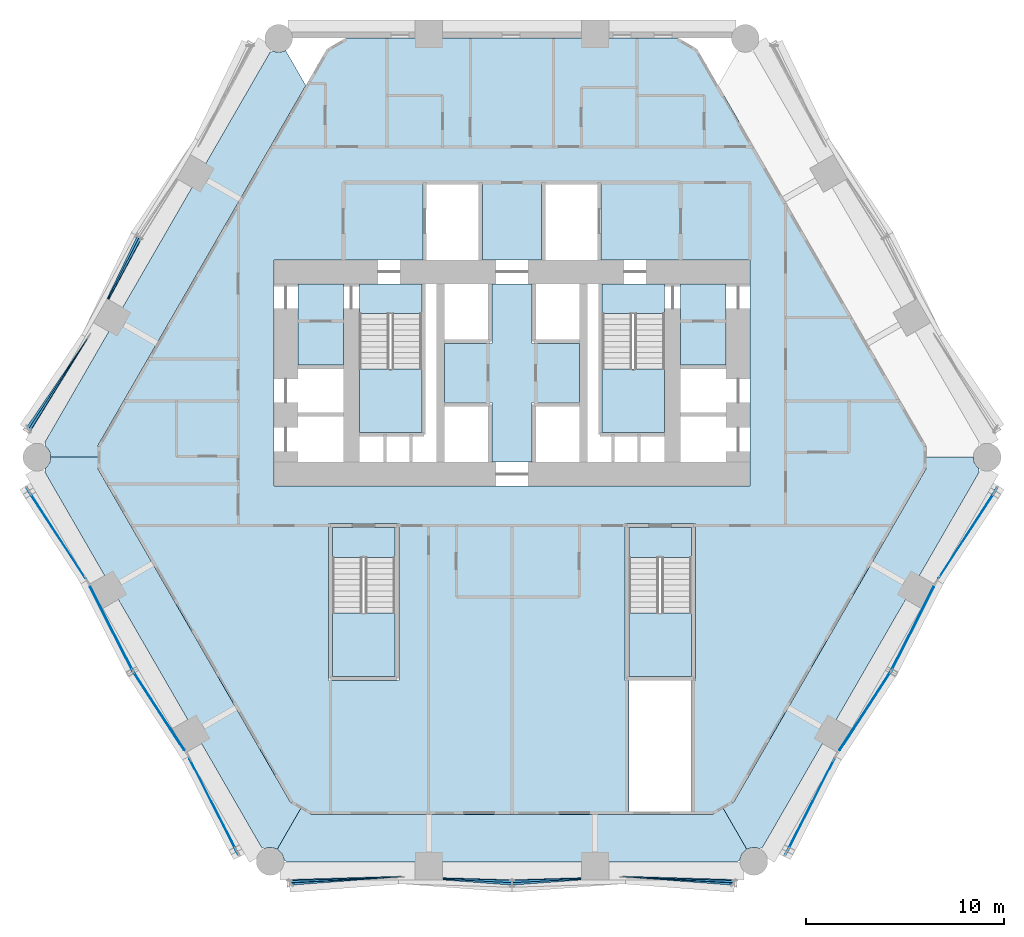
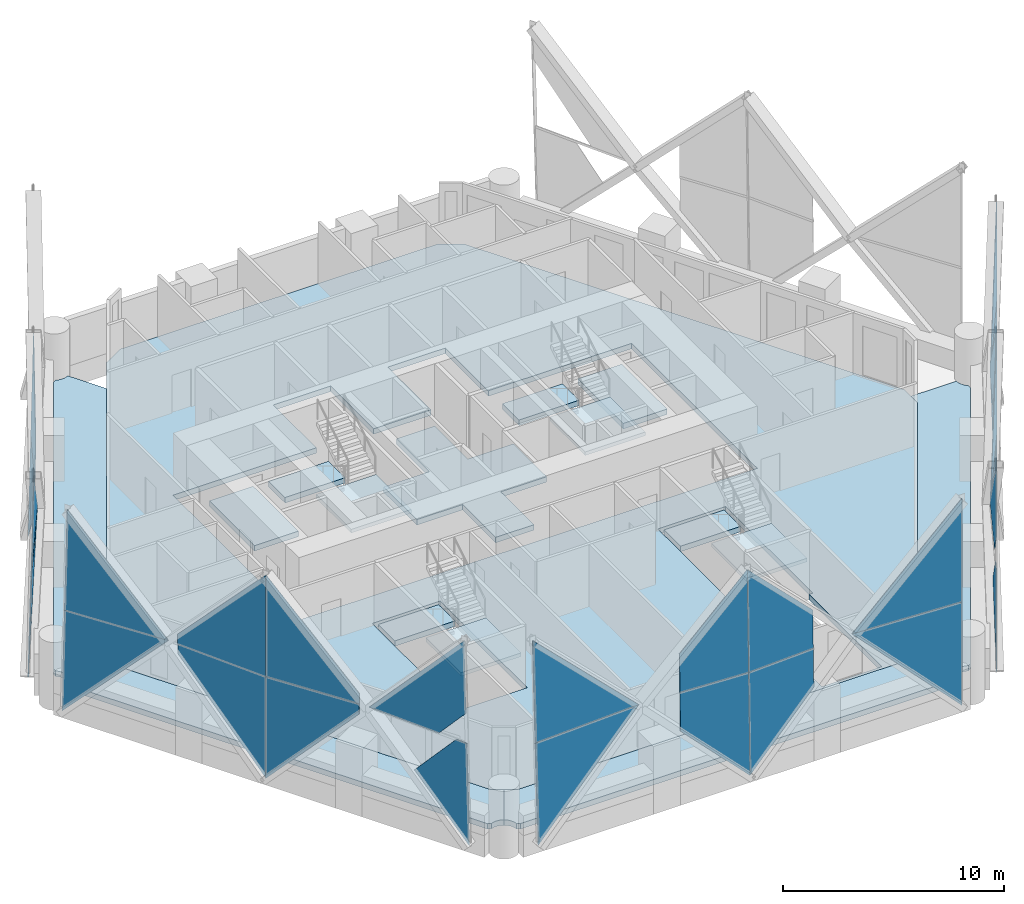
# One storey, part 9 of 22: 28 plates, 16 slabs, 20 elements without a shape of their own.
"""IFC4 building model written with IfcOpenShell, lengths in metres."""

from ifc_helpers import new_model, si_unit, direction, frame, origin, place, context, subcontext, project, spatial, polyline, outline, extrude, material, layer, layer_set, type_object, element, aggregate, save


model = new_model("IFC4")

# Units and contexts
model_context = context("Model", 3, precision=1e-05, world=origin(), true_north=direction((0.0, 1.0)))
body_context = subcontext(model_context, "Body", "Model", "MODEL_VIEW")
ifc_project = project(units=[si_unit("LENGTHUNIT", "METRE"), si_unit("AREAUNIT", "SQUARE_METRE"), si_unit("VOLUMEUNIT", "CUBIC_METRE"), si_unit("PLANEANGLEUNIT", "RADIAN"), si_unit("MASSUNIT", "GRAM", prefix="KILO")], contexts=[model_context])

# Site, building, storey
site_placement = place(None, origin())
site = spatial("IfcSite", under=ifc_project, at=site_placement, CompositionType="ELEMENT")
building_placement = place(site_placement, origin())
building = spatial("IfcBuilding", under=site, at=building_placement, Name="Ostrander Bayou Hotel Tower", CompositionType="ELEMENT")
storey_placement = place(building_placement, frame((0.0, 0.0, 46.75)))
storey = spatial("IfcBuildingStorey", under=building, at=storey_placement, Name="L11", CompositionType="ELEMENT", Elevation=46.75)

# Curtain wall, plate
ifc_material_1 = material(Name="Aluminium and clear glass", Category="aluminium")
curtain_wall_type = type_object("IfcCurtainWallType", Name="CW-LAT lattice glazing", PredefinedType="NOTDEFINED", material=ifc_material_1)
curtain_wall_1_placement = place(storey_placement, origin())
curtain_wall_1 = element("IfcCurtainWall", 1, at=curtain_wall_1_placement, inside=storey, type_object=curtain_wall_type, Name="CW-LAT L11 NW 3", PredefinedType="NOTDEFINED")
ifc_material_2 = material(Name="Clear laminated glass", Category="glass")
ifc_layer_1 = layer(ifc_material_2, 0.028076171875)
ifc_layer_set_1 = layer_set([ifc_layer_1], Name="CW-LA glazing panel 28 mm")
plate_type = type_object("IfcPlateType", Name="CW-LA glazing panel 28 mm", PredefinedType="CURTAIN_PANEL", material=ifc_layer_set_1)
plate_1_placement = place(storey_placement, frame((-20.421875, 7.760498046875, 2.917236328125), z_axis=(-0.890625010723, 0.454214829628, 0.021816938846), x_axis=(0.306591935451, 0.635214679132, -0.708874951266)))
plate_1 = element("IfcPlate", 2, at=plate_1_placement, type_object=plate_type, Name="CW-LAT panel 5", PredefinedType="CURTAIN_PANEL", context=body_context, shape_type="SweptSolid", body=[
    extrude(outline(polyline([(0.0, 0.0), (4.961854804753688, -4.440892098500626e-16), (0.967987887653214, -3.9629241458363484), (-1.4946785295034635, -1.486709471000279), (0.0, 0.0)])), origin(), (0.0, 0.0, -1.0), 0.028076171875),
])
aggregate(curtain_wall_1, [plate_1])

curtain_wall_2_placement = place(storey_placement, origin())
curtain_wall_2 = element("IfcCurtainWall", 3, at=curtain_wall_2_placement, inside=storey, type_object=curtain_wall_type, Name="CW-LAT L11 NW 4", PredefinedType="NOTDEFINED")
plate_2_placement = place(storey_placement, frame((-20.341064453125, 7.716796875, 7.13525390625), z_axis=(-0.890613025287, 0.454240673343, 0.021768092953), x_axis=(0.33379101933, 0.620442958908, 0.709671818629)))
plate_2 = element("IfcPlate", 4, at=plate_2_placement, type_object=plate_type, Name="CW-LAT panel 6", PredefinedType="CURTAIN_PANEL", context=body_context, shape_type="SweptSolid", body=[
    extrude(outline(polyline([(0.0, 0.0), (4.952497454512188, 0.0), (0.9631647855823522, 3.9674782541401847), (-1.4977033901600882, 1.4874753328256718), (0.0, 0.0)])), origin(), (0.0, 0.0, -1.0), 0.028076171875),
])
aggregate(curtain_wall_2, [plate_2])

curtain_wall_3_placement = place(storey_placement, origin())
curtain_wall_3 = element("IfcCurtainWall", 5, at=curtain_wall_3_placement, inside=storey, type_object=curtain_wall_type, Name="CW-LAT L11 NW 1", PredefinedType="NOTDEFINED")
plate_3_placement = place(storey_placement, frame((-21.33349609375, 5.871826171875, 5.02490234375), z_axis=(-0.838643819387, 0.544218875088, 0.022413393356), x_axis=(-0.394812024283, -0.579028738876, -0.713336656171)))
plate_3 = element("IfcPlate", 6, at=plate_3_placement, type_object=plate_type, Name="CW-LAT panel 7", PredefinedType="CURTAIN_PANEL", context=body_context, shape_type="SweptSolid", body=[
    extrude(outline(polyline([(0.0, 0.0), (7.885477286693286, 4.440892098500626e-16), (3.9159705439442805, 3.9879411453527975), (0.0, 0.0)])), origin(), (0.0, 0.0, -1.0), 0.028076171875),
])
aggregate(curtain_wall_3, [plate_3])

curtain_wall_4_placement = place(storey_placement, origin())
curtain_wall_4 = element("IfcCurtainWall", 7, at=curtain_wall_4_placement, inside=storey, type_object=curtain_wall_type, Name="CW-LAT L11 NW 2", PredefinedType="NOTDEFINED")
plate_4_placement = place(storey_placement, frame((-21.33349609375, 5.871826171875, 5.02490234375), z_axis=(-0.83864268969, 0.544218141997, 0.022473383165), x_axis=(-0.372541560407, -0.603210626156, 0.705230264709)))
plate_4 = element("IfcPlate", 8, at=plate_4_placement, type_object=plate_type, Name="CW-LAT panel 8", PredefinedType="CURTAIN_PANEL", context=body_context, shape_type="SweptSolid", body=[
    extrude(outline(polyline([(0.0, 0.0), (7.976118271551039, 0.0), (3.9615893043185784, -3.9426273046974245), (0.0, 0.0)])), origin(), (0.0, 0.0, -1.0), 0.028076171875),
])
aggregate(curtain_wall_4, [plate_4])

curtain_wall_5_placement = place(storey_placement, origin())
curtain_wall_5 = element("IfcCurtainWall", 9, at=curtain_wall_5_placement, inside=storey, type_object=curtain_wall_type, Name="CW-LAT L11 SW 3", PredefinedType="NOTDEFINED")
plate_5_placement = place(storey_placement, frame((-21.50244140625, -6.337646484375, 5.02490234375), z_axis=(0.838281967344, 0.545235342376, 0.001328401534), x_axis=(-0.377212062114, 0.581707291144, -0.720643939561)))
plate_5 = element("IfcPlate", 10, at=plate_5_placement, type_object=plate_type, Name="CW-LAT panel 1", PredefinedType="CURTAIN_PANEL", context=body_context, shape_type="SweptSolid", body=[
    extrude(outline(polyline([(0.0, 0.0), (7.80551905206793, -8.881784197001252e-16), (3.653896755766493, 3.7979850800628974), (0.0, 0.0)])), origin(), (0.0, 0.0, -1.0), 0.028076171875),
])

curtain_wall_6_placement = place(storey_placement, origin())
curtain_wall_6 = element("IfcCurtainWall", 11, at=curtain_wall_6_placement, inside=storey, type_object=curtain_wall_type, Name="CW-LAT L11 SW 4", PredefinedType="NOTDEFINED")
plate_6_placement = place(storey_placement, frame((-21.50244140625, -6.337646484375, 5.02490234375), z_axis=(0.838281981439, 0.545235351544, 0.001315682519), x_axis=(-0.368165861666, 0.564260127563, 0.73896170858)))
plate_6 = element("IfcPlate", 12, at=plate_6_placement, type_object=plate_type, Name="CW-LAT panel 2", PredefinedType="CURTAIN_PANEL", context=body_context, shape_type="SweptSolid", body=[
    extrude(outline(polyline([(0.0, 0.0), (7.612031766588155, -4.440892098500626e-16), (3.550821157270601, -3.894524525440911), (0.0, 0.0)])), origin(), (0.0, 0.0, -1.0), 0.028076171875),
])

curtain_wall_7_placement = place(storey_placement, origin())
curtain_wall_7 = element("IfcCurtainWall", 13, at=curtain_wall_7_placement, inside=storey, type_object=curtain_wall_type, Name="CW-LAT L11 SW 1", PredefinedType="NOTDEFINED")
plate_7_placement = place(storey_placement, frame((-21.266845703125, -6.80078125, 4.470458984375), z_axis=(-0.891332685787, -0.453349802302, 0.0), x_axis=(0.309949625851, -0.609393080279, -0.729774830439)))
plate_7 = element("IfcPlate", 14, at=plate_7_placement, type_object=plate_type, Name="CW-LAT panel 3", PredefinedType="CURTAIN_PANEL", context=body_context, shape_type="SweptSolid", body=[
    extrude(outline(polyline([(0.0, 0.0), (6.948111155836639, 0.0), (2.84312773461484, 3.8457425955846523), (-0.404618808576159, 0.3790660344866643), (0.0, 0.0)])), origin(), (0.0, 0.0, -1.0), 0.028076171875),
])

curtain_wall_8_placement = place(storey_placement, origin())
curtain_wall_8 = element("IfcCurtainWall", 15, at=curtain_wall_8_placement, inside=storey, type_object=curtain_wall_type, Name="CW-LAT L11 SW 2", PredefinedType="NOTDEFINED")
plate_8_placement = place(storey_placement, frame((-21.266845703125, -6.80078125, 5.57958984375), z_axis=(0.891332685787, 0.453349802302, 0.0), x_axis=(0.309957573882, -0.609408706931, 0.72975840544)))
plate_8 = element("IfcPlate", 16, at=plate_8_placement, type_object=plate_type, Name="CW-LAT panel 4", PredefinedType="CURTAIN_PANEL", context=body_context, shape_type="SweptSolid", body=[
    extrude(outline(polyline([(0.0, 0.0), (6.947932990158405, 0.0), (2.843041959559998, 3.8458412118693555), (-0.40478786551734286, 0.37924267505933923), (0.0, 0.0)])), origin(), (0.0, 0.0, -1.0), 0.028076171875),
])

# Plate
plate_9_placement = place(storey_placement, frame((-16.522705078125, -15.01806640625, 4.47119140625), z_axis=(0.83829684478, 0.545214086421, 0.0), x_axis=(-0.372775351719, 0.573162742747, -0.72974174026)))
plate_9 = element("IfcPlate", 17, at=plate_9_placement, type_object=plate_type, Name="CW-LAT panel 5", PredefinedType="CURTAIN_PANEL", context=body_context, shape_type="SweptSolid", body=[
    extrude(outline(polyline([(0.0, 0.0), (6.949429891036562, 0.0), (2.8446326020739665, 3.8459412653504383), (-0.40406598313225545, 0.3785848433079338), (0.0, 0.0)])), origin(), (0.0, 0.0, -1.0), 0.028076171875),
])

aggregate(curtain_wall_5, [plate_5, plate_9])

plate_10_placement = place(storey_placement, frame((-16.522705078125, -15.01806640625, 5.578857421875), z_axis=(-0.83829684478, -0.545214086421, 0.0), x_axis=(-0.372784908541, 0.57317743689, 0.729725316681)))
plate_10 = element("IfcPlate", 18, at=plate_10_placement, type_object=plate_type, Name="CW-LAT panel 6", PredefinedType="CURTAIN_PANEL", context=body_context, shape_type="SweptSolid", body=[
    extrude(outline(polyline([(0.0, 0.0), (6.949251733436812, -4.440892098500626e-16), (2.8445468271087493, 3.8460398635435817), (-0.4042350448115614, 0.3787614778810932), (0.0, 0.0)])), origin(), (0.0, 0.0, -1.0), 0.028076171875),
])

aggregate(curtain_wall_6, [plate_6, plate_10])

plate_11_placement = place(storey_placement, frame((-13.8505859375, -20.150390625, 5.02490234375), z_axis=(0.891332011599, 0.453349074524, 0.001364451234), x_axis=(0.012612304546, -0.021788358172, -0.999683048382)))
plate_11 = element("IfcPlate", 19, at=plate_11_placement, type_object=plate_type, Name="CW-LAT panel 7", PredefinedType="CURTAIN_PANEL", context=body_context, shape_type="SweptSolid", body=[
    extrude(outline(polyline([(0.0, 0.0), (5.626783537877228, 2.7755575615628914e-17), (2.4701904401247075, 2.8873981375799938), (-0.014300052129770926, 0.5686765263280605), (0.0, 0.0)])), origin(), (0.0, 0.0, -1.0), 0.028076171875),
])

aggregate(curtain_wall_7, [plate_7, plate_11])

plate_12_placement = place(storey_placement, frame((-13.92138671875, -20.027587890625, 10.64990234375), z_axis=(0.891330919348, 0.453351304475, 0.001336766939), x_axis=(0.012586322666, -0.021798184003, -0.999683161635)))
plate_12 = element("IfcPlate", 20, at=plate_12_placement, type_object=plate_type, Name="CW-LAT panel 8", PredefinedType="CURTAIN_PANEL", context=body_context, shape_type="SweptSolid", body=[
    extrude(outline(polyline([(0.0, 0.0), (3.976113307139134, 1.3877787807814457e-17), (5.58894847974982, 1.5047415863403115), (5.494317859416411, 5.2683802893388805), (0.0, 0.0)])), origin(), (0.0, 0.0, -1.0), 0.028076171875),
])

aggregate(curtain_wall_8, [plate_8, plate_12])

# Curtain wall, plate
curtain_wall_9_placement = place(storey_placement, origin())
curtain_wall_9 = element("IfcCurtainWall", 21, at=curtain_wall_9_placement, inside=storey, type_object=curtain_wall_type, Name="CW-LAT L11 S 3", PredefinedType="NOTDEFINED")
plate_13_placement = place(storey_placement, frame((-5.58154296875, -21.4111328125, 5.02490234375), z_axis=(0.052011569809, -0.99839505372, 0.022407885079), x_axis=(-0.698852657643, -0.052417045428, -0.713342425665)))
plate_13 = element("IfcPlate", 22, at=plate_13_placement, type_object=plate_type, Name="CW-LAT panel 1", PredefinedType="CURTAIN_PANEL", context=body_context, shape_type="SweptSolid", body=[
    extrude(outline(polyline([(0.0, 0.0), (7.885413509168376, 4.440892098500626e-16), (3.9159175195676506, -3.9879518487653973), (0.0, 0.0)])), origin(), (0.0, 0.0, -1.0), 0.028076171875),
])

curtain_wall_10_placement = place(storey_placement, origin())
curtain_wall_10 = element("IfcCurtainWall", 23, at=curtain_wall_10_placement, inside=storey, type_object=curtain_wall_type, Name="CW-LAT L11 S 4", PredefinedType="NOTDEFINED")
plate_14_placement = place(storey_placement, frame((-5.58154296875, -21.4111328125, 5.02490234375), z_axis=(0.052011519257, -0.998394083339, 0.022451196376), x_axis=(-0.708662000278, -0.021059064279, 0.705233780511)))
plate_14 = element("IfcPlate", 24, at=plate_14_placement, type_object=plate_type, Name="CW-LAT panel 2", PredefinedType="CURTAIN_PANEL", context=body_context, shape_type="SweptSolid", body=[
    extrude(outline(polyline([(0.0, 0.0), (7.9760785082107, 0.0), (3.9615507802499086, 3.942624174788862), (0.0, 0.0)])), origin(), (0.0, 0.0, -1.0), 0.028076171875),
])

curtain_wall_11_placement = place(storey_placement, origin())
curtain_wall_11 = element("IfcCurtainWall", 25, at=curtain_wall_11_placement, inside=storey, type_object=curtain_wall_type, Name="CW-LAT L11 S 1", PredefinedType="NOTDEFINED")
plate_15_placement = place(storey_placement, frame((-3.489990234375, -21.56591796875, 2.9169921875), z_axis=(-0.052030148651, -0.998408968086, 0.021734674512), x_axis=(0.703410934352, -0.052088557242, -0.708872230827)))
plate_15 = element("IfcPlate", 26, at=plate_15_placement, type_object=plate_type, Name="CW-LAT panel 3", PredefinedType="CURTAIN_PANEL", context=body_context, shape_type="SweptSolid", body=[
    extrude(outline(polyline([(0.0, 0.0), (4.9615318471639345, -4.440892098500626e-16), (0.9677416484334855, 3.9629894582472622), (-1.494899729449446, 1.4868255747577932), (0.0, 0.0)])), origin(), (0.0, 0.0, -1.0), 0.028076171875),
])

curtain_wall_12_placement = place(storey_placement, origin())
curtain_wall_12 = element("IfcCurtainWall", 27, at=curtain_wall_12_placement, inside=storey, type_object=curtain_wall_type, Name="CW-LAT L11 S 2", PredefinedType="NOTDEFINED")
plate_16_placement = place(storey_placement, frame((-3.487548828125, -21.47412109375, 7.13525390625), z_axis=(-0.052027417039, -0.998408030024, 0.021784247988), x_axis=(0.704205879099, -0.02121196074, 0.709678893982)))
plate_16 = element("IfcPlate", 28, at=plate_16_placement, type_object=plate_type, Name="CW-LAT panel 4", PredefinedType="CURTAIN_PANEL", context=body_context, shape_type="SweptSolid", body=[
    extrude(outline(polyline([(0.0, 0.0), (4.952451045853735, 8.881784197001252e-16), (0.9631121539849465, -3.9674778779943574), (-1.497729918514757, -1.4874466766394188), (0.0, 0.0)])), origin(), (0.0, 0.0, -1.0), 0.028076171875),
])

# Plate
plate_17_placement = place(storey_placement, frame((3.490234375, -21.56591796875, 2.91748046875), z_axis=(0.052028260502, -0.998408893577, 0.021742615664), x_axis=(-0.703386256058, -0.052092110667, -0.708896457034)))
plate_17 = element("IfcPlate", 29, at=plate_17_placement, type_object=plate_type, Name="CW-LAT panel 5", PredefinedType="CURTAIN_PANEL", context=body_context, shape_type="SweptSolid", body=[
    extrude(outline(polyline([(0.0, 0.0), (4.962049710630717, 0.0), (0.9681228039845033, -3.96285168401522), (-1.4939179771067317, -1.4871220630709012), (0.0, 0.0)])), origin(), (0.0, 0.0, -1.0), 0.028076171875),
])

aggregate(curtain_wall_9, [plate_13, plate_17])

plate_18_placement = place(storey_placement, frame((3.486328125, -21.47412109375, 7.13671875), z_axis=(0.052034976574, -0.998407582929, 0.021786683167), x_axis=(-0.704229600574, -0.021217324722, 0.709655194307)))
plate_18 = element("IfcPlate", 30, at=plate_18_placement, type_object=plate_type, Name="CW-LAT panel 6", PredefinedType="CURTAIN_PANEL", context=body_context, shape_type="SweptSolid", body=[
    extrude(outline(polyline([(0.0, 0.0), (4.950551853492706, 0.0), (0.9613469310085432, 3.9676125812305596), (-1.4994069506133878, 1.487837341220223), (0.0, 0.0)])), origin(), (0.0, 0.0, -1.0), 0.028076171875),
])

aggregate(curtain_wall_10, [plate_14, plate_18])

plate_19_placement = place(storey_placement, frame((5.58154296875, -21.4111328125, 5.02490234375), z_axis=(-0.052011569809, -0.99839505372, 0.022407885079), x_axis=(0.698852657643, -0.052417045428, -0.713342425665)))
plate_19 = element("IfcPlate", 31, at=plate_19_placement, type_object=plate_type, Name="CW-LAT panel 7", PredefinedType="CURTAIN_PANEL", context=body_context, shape_type="SweptSolid", body=[
    extrude(outline(polyline([(0.0, 0.0), (7.885413509168376, -4.440892098500626e-16), (3.9159175195676506, 3.9879518487653973), (0.0, 0.0)])), origin(), (0.0, 0.0, -1.0), 0.028076171875),
])

aggregate(curtain_wall_11, [plate_15, plate_19])

plate_20_placement = place(storey_placement, frame((5.58154296875, -21.4111328125, 5.02490234375), z_axis=(-0.052011519257, -0.998394083339, 0.022451196376), x_axis=(0.708662000278, -0.021059064279, 0.705233780511)))
plate_20 = element("IfcPlate", 32, at=plate_20_placement, type_object=plate_type, Name="CW-LAT panel 8", PredefinedType="CURTAIN_PANEL", context=body_context, shape_type="SweptSolid", body=[
    extrude(outline(polyline([(0.0, 0.0), (7.9760785082107, 0.0), (3.9615507802499086, -3.942624174788862), (0.0, 0.0)])), origin(), (0.0, 0.0, -1.0), 0.028076171875),
])

aggregate(curtain_wall_12, [plate_16, plate_20])

# Curtain wall, plate
curtain_wall_13_placement = place(storey_placement, origin())
curtain_wall_13 = element("IfcCurtainWall", 33, at=curtain_wall_13_placement, inside=storey, type_object=curtain_wall_type, Name="CW-LAT L11 SE 3", PredefinedType="NOTDEFINED")
plate_21_placement = place(storey_placement, frame((13.779541015625, -20.27294921875, -0.60009765625), z_axis=(-0.891332011599, 0.453349074524, 0.001364451234), x_axis=(0.012612304546, 0.021788358172, 0.999683048382)))
plate_21 = element("IfcPlate", 34, at=plate_21_placement, type_object=plate_type, Name="CW-LAT panel 1", PredefinedType="CURTAIN_PANEL", context=body_context, shape_type="SweptSolid", body=[
    extrude(outline(polyline([(0.0, 0.0), (5.626783537877228, -2.7755575615628914e-17), (5.641083590006998, 0.5686765263280605), (3.1565930977525194, 2.8873981375799938), (0.0, 0.0)])), origin(), (0.0, 0.0, -1.0), 0.028076171875),
])

curtain_wall_14_placement = place(storey_placement, origin())
curtain_wall_14 = element("IfcCurtainWall", 35, at=curtain_wall_14_placement, inside=storey, type_object=curtain_wall_type, Name="CW-LAT L11 SE 4", PredefinedType="NOTDEFINED")
plate_22_placement = place(storey_placement, frame((13.92138671875, -20.027587890625, 10.64990234375), z_axis=(-0.891330919348, 0.453351304475, 0.001336766939), x_axis=(0.304564797863, 0.600981700821, -0.738959592388)))
plate_22 = element("IfcPlate", 36, at=plate_22_placement, type_object=plate_type, Name="CW-LAT panel 2", PredefinedType="CURTAIN_PANEL", context=body_context, shape_type="SweptSolid", body=[
    extrude(outline(polyline([(0.0, 0.0), (7.612053573996739, 0.0), (5.075504262562089, 2.78205838034967), (2.8699259854272725, 2.75190876836028), (0.0, 0.0)])), origin(), (0.0, 0.0, -1.0), 0.028076171875),
])

curtain_wall_15_placement = place(storey_placement, origin())
curtain_wall_15 = element("IfcCurtainWall", 37, at=curtain_wall_15_placement, inside=storey, type_object=curtain_wall_type, Name="CW-LAT L11 SE 1", PredefinedType="NOTDEFINED")
plate_23_placement = place(storey_placement, frame((16.522705078125, -15.01806640625, 4.47119140625), z_axis=(0.83829684478, -0.545214086421, 0.0), x_axis=(0.372775351719, 0.573162742747, -0.72974174026)))
plate_23 = element("IfcPlate", 38, at=plate_23_placement, type_object=plate_type, Name="CW-LAT panel 3", PredefinedType="CURTAIN_PANEL", context=body_context, shape_type="SweptSolid", body=[
    extrude(outline(polyline([(0.0, 0.0), (6.949429891036562, 0.0), (2.8446326020739665, 3.8459412653504383), (-0.40406598313225545, 0.3785848433079338), (0.0, 0.0)])), origin(), (0.0, 0.0, -1.0), 0.028076171875),
])

curtain_wall_16_placement = place(storey_placement, origin())
curtain_wall_16 = element("IfcCurtainWall", 39, at=curtain_wall_16_placement, inside=storey, type_object=curtain_wall_type, Name="CW-LAT L11 SE 2", PredefinedType="NOTDEFINED")
plate_24_placement = place(storey_placement, frame((16.522705078125, -15.01806640625, 5.578857421875), z_axis=(-0.83829684478, 0.545214086421, 0.0), x_axis=(0.372784908541, 0.57317743689, 0.729725316681)))
plate_24 = element("IfcPlate", 40, at=plate_24_placement, type_object=plate_type, Name="CW-LAT panel 4", PredefinedType="CURTAIN_PANEL", context=body_context, shape_type="SweptSolid", body=[
    extrude(outline(polyline([(0.0, 0.0), (6.949251733436812, -4.440892098500626e-16), (2.8445468271087493, 3.8460398635435817), (-0.4042350448115614, 0.3787614778810932), (0.0, 0.0)])), origin(), (0.0, 0.0, -1.0), 0.028076171875),
])

# Plate
plate_25_placement = place(storey_placement, frame((21.266845703125, -6.80078125, 4.470458984375), z_axis=(-0.891332685787, 0.453349802302, 0.0), x_axis=(-0.309949625851, -0.609393080279, -0.729774830439)))
plate_25 = element("IfcPlate", 41, at=plate_25_placement, type_object=plate_type, Name="CW-LAT panel 5", PredefinedType="CURTAIN_PANEL", context=body_context, shape_type="SweptSolid", body=[
    extrude(outline(polyline([(0.0, 0.0), (6.948111155836639, 0.0), (2.84312773461484, 3.8457425955846523), (-0.404618808576159, 0.3790660344866643), (0.0, 0.0)])), origin(), (0.0, 0.0, -1.0), 0.028076171875),
])

aggregate(curtain_wall_13, [plate_21, plate_25])

plate_26_placement = place(storey_placement, frame((21.266845703125, -6.80078125, 5.57958984375), z_axis=(0.891332685787, -0.453349802302, 0.0), x_axis=(-0.309957573882, -0.609408706931, 0.72975840544)))
plate_26 = element("IfcPlate", 42, at=plate_26_placement, type_object=plate_type, Name="CW-LAT panel 6", PredefinedType="CURTAIN_PANEL", context=body_context, shape_type="SweptSolid", body=[
    extrude(outline(polyline([(0.0, 0.0), (6.947932990158405, 0.0), (2.843041959559998, 3.8458412118693555), (-0.40478786551734286, 0.37924267505933923), (0.0, 0.0)])), origin(), (0.0, 0.0, -1.0), 0.028076171875),
])

aggregate(curtain_wall_14, [plate_22, plate_26])

plate_27_placement = place(storey_placement, frame((21.50244140625, -6.337646484375, 5.02490234375), z_axis=(-0.838281967344, 0.545235342376, 0.001328401534), x_axis=(0.377212062114, 0.581707291144, -0.720643939561)))
plate_27 = element("IfcPlate", 43, at=plate_27_placement, type_object=plate_type, Name="CW-LAT panel 7", PredefinedType="CURTAIN_PANEL", context=body_context, shape_type="SweptSolid", body=[
    extrude(outline(polyline([(0.0, 0.0), (7.80551905206793, 8.881784197001252e-16), (3.653896755766493, -3.7979850800628974), (0.0, 0.0)])), origin(), (0.0, 0.0, -1.0), 0.028076171875),
])

aggregate(curtain_wall_15, [plate_23, plate_27])

plate_28_placement = place(storey_placement, frame((21.50244140625, -6.337646484375, 5.02490234375), z_axis=(-0.838281981439, 0.545235351544, 0.001315682519), x_axis=(0.368165861666, 0.564260127563, 0.73896170858)))
plate_28 = element("IfcPlate", 44, at=plate_28_placement, type_object=plate_type, Name="CW-LAT panel 8", PredefinedType="CURTAIN_PANEL", context=body_context, shape_type="SweptSolid", body=[
    extrude(outline(polyline([(0.0, 0.0), (7.612031766588155, 4.440892098500626e-16), (3.550821157270601, 3.894524525440911), (0.0, 0.0)])), origin(), (0.0, 0.0, -1.0), 0.028076171875),
])

aggregate(curtain_wall_16, [plate_24, plate_28])

# Slabs
ifc_material_3 = material(Name="Concrete f'c 40 MPa", Category="concrete")
ifc_layer_2 = layer(ifc_material_3, 0.300048828125)
ifc_layer_set_2 = layer_set([ifc_layer_2], Name="SL1 floor slab 300 mm f'c 40 MPa")
slab_type_1 = type_object("IfcSlabType", Name="SL1 floor slab 300 mm f'c 40 MPa", PredefinedType="FLOOR", material=ifc_layer_set_2)
slab_1_placement = place(storey_placement, frame((0.0, 0.0, -0.300048828125)))
element("IfcSlab", 45, at=slab_1_placement, inside=storey, type_object=slab_type_1, Name="SL1 L11 1", PredefinedType="FLOOR", context=body_context, shape_type="SweptSolid", body=[
    extrude(outline(polyline([(-3.525390625, 20.89990234375), (3.525390625, 20.89990234375), (4.865478515625, 20.89990234375), (8.319091796875, 20.89990234375), (9.3583984375, 20.300048828125), (20.873779296875, 0.3544921875), (20.873779296875, -0.845458984375), (11.169189453125, -17.654541015625), (10.1298828125, -18.25439453125), (-10.1298828125, -18.25439453125), (-11.169189453125, -17.654541015625), (-20.873779296875, -0.845458984375), (-20.873779296875, 0.3544921875), (-9.3583984375, 20.300048828125), (-8.319091796875, 20.89990234375), (-4.865478515625, 20.89990234375), (-3.525390625, 20.89990234375)]), holes=[polyline([(-12.0, -1.699951171875), (12.0, -1.699951171875), (12.0, 9.699951171875), (4.5, 9.699951171875), (4.5, 13.60009765625), (1.5, 13.60009765625), (1.5, 9.699951171875), (-1.5, 9.699951171875), (-1.5, 13.60009765625), (-4.5, 13.60009765625), (-4.5, 9.699951171875), (-12.0, 9.699951171875), (-12.0, -1.699951171875)]), polyline([(9.050048828125, -11.5), (9.25, -11.5), (9.25, -3.60009765625), (5.699951171875, -3.60009765625), (5.699951171875, -11.5), (5.89990234375, -11.5), (5.89990234375, -18.1044921875), (9.050048828125, -18.1044921875), (9.050048828125, -11.5)]), polyline([(-5.699951171875, -3.60009765625), (-9.25, -3.60009765625), (-9.25, -11.5), (-5.699951171875, -11.5), (-5.699951171875, -3.60009765625)])]), origin(), (0.0, 0.0, 1.0), 0.300048828125),
])
slab_2_placement = place(storey_placement, frame((0.0, 0.0, -0.300048828125)))
element("IfcSlab", 46, at=slab_2_placement, inside=storey, type_object=slab_type_1, Name="cslab:L11:001", PredefinedType="FLOOR", context=body_context, shape_type="SweptSolid", body=[
    extrude(outline(polyline([(-3.39990234375, 5.5), (-1.0, 5.5), (-1.0, 8.5), (1.0, 8.5), (1.0, 5.5), (3.39990234375, 5.5), (3.39990234375, 2.5), (1.0, 2.5), (1.0, -0.5), (-1.0, -0.5), (-1.0, 2.5), (-3.39990234375, 2.5), (-3.39990234375, 5.5)])), origin(), (0.0, 0.0, 1.0), 0.300048828125),
])
slab_3_placement = place(storey_placement, frame((0.0, 0.0, -0.300048828125)))
element("IfcSlab", 47, at=slab_3_placement, inside=storey, type_object=slab_type_1, Name="cslab:L11:002", PredefinedType="FLOOR", context=body_context, shape_type="SweptSolid", body=[
    extrude(outline(polyline([(-8.5, 4.39990234375), (-8.5, 8.5), (-10.800048828125, 8.5), (-10.800048828125, 4.39990234375), (-8.5, 4.39990234375)])), origin(), (0.0, 0.0, 1.0), 0.300048828125),
])
slab_4_placement = place(storey_placement, frame((0.0, 0.0, -0.300048828125)))
element("IfcSlab", 48, at=slab_4_placement, inside=storey, type_object=slab_type_1, Name="cslab:L11:003", PredefinedType="FLOOR", context=body_context, shape_type="SweptSolid", body=[
    extrude(outline(polyline([(10.800048828125, 4.39990234375), (10.800048828125, 8.5), (8.5, 8.5), (8.5, 4.39990234375), (10.800048828125, 4.39990234375)])), origin(), (0.0, 0.0, 1.0), 0.300048828125),
])
slab_5_placement = place(storey_placement, frame((0.0, 0.0, -0.300048828125)))
element("IfcSlab", 49, at=slab_5_placement, inside=storey, type_object=slab_type_1, Name="cslab:L11:004", PredefinedType="FLOOR", context=body_context, shape_type="SweptSolid", body=[
    extrude(outline(polyline([(-4.550048828125, 7.0), (-4.550048828125, 8.5), (-7.699951171875, 8.5), (-7.699951171875, 7.0), (-4.550048828125, 7.0)])), origin(), (0.0, 0.0, 1.0), 0.300048828125),
])
slab_6_placement = place(storey_placement, frame((0.0, 0.0, -0.300048828125)))
element("IfcSlab", 50, at=slab_6_placement, inside=storey, type_object=slab_type_1, Name="cslab:L11:005", PredefinedType="FLOOR", context=body_context, shape_type="SweptSolid", body=[
    extrude(outline(polyline([(7.699951171875, 7.0), (7.699951171875, 8.5), (4.550048828125, 8.5), (4.550048828125, 7.0), (7.699951171875, 7.0)])), origin(), (0.0, 0.0, 1.0), 0.300048828125),
])
slab_7_placement = place(storey_placement, frame((0.0, 0.0, -0.300048828125)))
element("IfcSlab", 51, at=slab_7_placement, inside=storey, type_object=slab_type_1, Name="cslab:L11:006", PredefinedType="FLOOR", context=body_context, shape_type="SweptSolid", body=[
    extrude(outline(polyline([(9.050048828125, -5.300048828125), (9.050048828125, -3.800048828125), (5.89990234375, -3.800048828125), (5.89990234375, -5.300048828125), (9.050048828125, -5.300048828125)])), origin(), (0.0, 0.0, 1.0), 0.300048828125),
])
slab_8_placement = place(storey_placement, frame((0.0, 0.0, -0.300048828125)))
element("IfcSlab", 52, at=slab_8_placement, inside=storey, type_object=slab_type_1, Name="cslab:L11:007", PredefinedType="FLOOR", context=body_context, shape_type="SweptSolid", body=[
    extrude(outline(polyline([(-5.89990234375, -5.300048828125), (-5.89990234375, -3.800048828125), (-9.050048828125, -3.800048828125), (-9.050048828125, -5.300048828125), (-5.89990234375, -5.300048828125)])), origin(), (0.0, 0.0, 1.0), 0.300048828125),
])
ifc_material_4 = material(Name="Concrete f'c 40 MPa", Category="concrete")
ifc_layer_3 = layer(ifc_material_4, 0.300048828125)
ifc_layer_set_3 = layer_set([ifc_layer_3], Name="SL4 loggia slab 300 mm f'c 40 MPa")
slab_type_2 = type_object("IfcSlabType", Name="SL4 loggia slab 300 mm f'c 40 MPa", PredefinedType="FLOOR", material=ifc_layer_set_3)
slab_9_placement = place(storey_placement, frame((0.0, 0.0, -0.300048828125)))
element("IfcSlab", 53, at=slab_9_placement, inside=storey, type_object=slab_type_2, Name="SL4 LOGGIA L11 NW 1", PredefinedType="FLOOR", context=body_context, shape_type="SweptSolid", body=[
    extrude(outline(polyline([(-23.259521484375, -0.24560546875), (-23.27294921875, -0.10888671875), (-23.312744140625, 0.0224609375), (-23.37744140625, 0.143310546875), (-23.464599609375, 0.24951171875), (-23.55859375, 0.32666015625), (-23.55859375, 0.50439453125), (-12.21630859375, 20.14990234375), (-12.061279296875, 20.239501953125), (-12.034912109375, 20.2255859375), (-11.90380859375, 20.185791015625), (-11.76708984375, 20.172119140625), (-11.630615234375, 20.185791015625), (-11.499267578125, 20.2255859375), (-11.418701171875, 20.2685546875), (-10.3974609375, 18.5), (-20.873779296875, 0.3544921875), (-20.873779296875, -0.24560546875), (-23.259521484375, -0.24560546875)])), origin(), (0.0, 0.0, 1.0), 0.300048828125),
])
slab_10_placement = place(storey_placement, frame((0.0, 0.0, -0.300048828125)))
element("IfcSlab", 54, at=slab_10_placement, inside=storey, type_object=slab_type_2, Name="SL4 LOGGIA L11 SW 1", PredefinedType="FLOOR", context=body_context, shape_type="SweptSolid", body=[
    extrude(outline(polyline([(-10.6494140625, -17.95458984375), (-11.84375, -20.023193359375), (-11.92431640625, -19.97998046875), (-12.055908203125, -19.940185546875), (-12.1923828125, -19.9267578125), (-12.328857421875, -19.940185546875), (-12.460205078125, -19.97998046875), (-12.486328125, -19.993896484375), (-12.641357421875, -19.904541015625), (-15.667236328125, -14.66357421875), (-16.337158203125, -13.503173828125), (-19.862548828125, -7.39697265625), (-20.53271484375, -6.236328125), (-23.55859375, -0.99560546875), (-23.55859375, -0.817626953125), (-23.464599609375, -0.740478515625), (-23.37744140625, -0.634521484375), (-23.312744140625, -0.513427734375), (-23.27294921875, -0.382080078125), (-23.259521484375, -0.24560546875), (-20.873779296875, -0.24560546875), (-20.873779296875, -0.845458984375), (-11.169189453125, -17.654541015625), (-10.6494140625, -17.95458984375)])), origin(), (0.0, 0.0, 1.0), 0.300048828125),
])
slab_11_placement = place(storey_placement, frame((0.0, 0.0, -0.300048828125)))
element("IfcSlab", 55, at=slab_11_placement, inside=storey, type_object=slab_type_2, Name="SL4 LOGGIA L11 S 1", PredefinedType="FLOOR", context=body_context, shape_type="SweptSolid", body=[
    extrude(outline(polyline([(10.6494140625, -17.95458984375), (11.84375, -20.023193359375), (11.803466796875, -20.044677734375), (11.697265625, -20.1318359375), (11.6103515625, -20.23779296875), (11.545654296875, -20.35888671875), (11.505859375, -20.490234375), (11.49853515625, -20.564453125), (11.34228515625, -20.654541015625), (4.865478515625, -20.654541015625), (3.525390625, -20.654541015625), (-3.525390625, -20.654541015625), (-4.865478515625, -20.654541015625), (-11.34228515625, -20.654541015625), (-11.49853515625, -20.564453125), (-11.505859375, -20.490234375), (-11.545654296875, -20.35888671875), (-11.6103515625, -20.23779296875), (-11.697265625, -20.1318359375), (-11.803466796875, -20.044677734375), (-11.84375, -20.023193359375), (-10.6494140625, -17.95458984375), (-10.1298828125, -18.25439453125), (10.1298828125, -18.25439453125), (10.6494140625, -17.95458984375)])), origin(), (0.0, 0.0, 1.0), 0.300048828125),
])
slab_12_placement = place(storey_placement, frame((0.0, 0.0, -0.300048828125)))
element("IfcSlab", 56, at=slab_12_placement, inside=storey, type_object=slab_type_2, Name="SL4 LOGGIA L11 SE 1", PredefinedType="FLOOR", context=body_context, shape_type="SweptSolid", body=[
    extrude(outline(polyline([(20.873779296875, -0.24560546875), (23.259521484375, -0.24560546875), (23.27294921875, -0.382080078125), (23.312744140625, -0.513427734375), (23.37744140625, -0.634521484375), (23.464599609375, -0.740478515625), (23.55859375, -0.817626953125), (23.55859375, -0.99560546875), (20.53271484375, -6.236328125), (19.862548828125, -7.39697265625), (16.337158203125, -13.503173828125), (15.667236328125, -14.66357421875), (12.641357421875, -19.904541015625), (12.486328125, -19.993896484375), (12.460205078125, -19.97998046875), (12.328857421875, -19.940185546875), (12.1923828125, -19.9267578125), (12.055908203125, -19.940185546875), (11.92431640625, -19.97998046875), (11.84375, -20.023193359375), (10.6494140625, -17.95458984375), (11.169189453125, -17.654541015625), (20.873779296875, -0.845458984375), (20.873779296875, -0.24560546875)])), origin(), (0.0, 0.0, 1.0), 0.300048828125),
])

# Stair, slab
ifc_material_5 = material(Name="Concrete f'c 45 MPa", Category="concrete")
stair_type = type_object("IfcStairType", Name="ST1 exit stair 1500 mm f'c 45 MPa", PredefinedType="HALF_TURN_STAIR", material=ifc_material_5)
stair_1_placement = place(storey_placement, origin())
stair_1 = element("IfcStair", 57, at=stair_1_placement, inside=storey, type_object=stair_type, Name="L11 exit stair A", PredefinedType="HALF_TURN_STAIR")
ifc_material_6 = material(Name="Concrete f'c 45 MPa", Category="concrete")
ifc_layer_4 = layer(ifc_material_6, 0.199951171875)
ifc_layer_set_4 = layer_set([ifc_layer_4], Name="SL8 stair landing 200 mm f'c 45 MPa")
slab_type_3 = type_object("IfcSlabType", Name="SL8 stair landing 200 mm f'c 45 MPa", PredefinedType="LANDING", material=ifc_layer_set_4)
slab_13_placement = place(storey_placement, frame((0.0, 0.0, 1.675048828125)))
slab_13 = element("IfcSlab", 58, at=slab_13_placement, type_object=slab_type_3, Name="STA landing 1", PredefinedType="LANDING", context=body_context, shape_type="SweptSolid", body=[
    extrude(outline(polyline([(-7.699951171875, 4.199951171875), (-7.699951171875, 1.0), (-4.550048828125, 1.0), (-4.550048828125, 4.199951171875), (-7.699951171875, 4.199951171875)])), origin(), (0.0, 0.0, 1.0), 0.199951171875),
])
aggregate(stair_1, [slab_13])

stair_2_placement = place(storey_placement, origin())
stair_2 = element("IfcStair", 59, at=stair_2_placement, inside=storey, type_object=stair_type, Name="L11 exit stair B", PredefinedType="HALF_TURN_STAIR")
slab_14_placement = place(storey_placement, frame((0.0, 0.0, 1.675048828125)))
slab_14 = element("IfcSlab", 60, at=slab_14_placement, type_object=slab_type_3, Name="STB landing 1", PredefinedType="LANDING", context=body_context, shape_type="SweptSolid", body=[
    extrude(outline(polyline([(4.550048828125, 4.199951171875), (4.550048828125, 1.0), (7.699951171875, 1.0), (7.699951171875, 4.199951171875), (4.550048828125, 4.199951171875)])), origin(), (0.0, 0.0, 1.0), 0.199951171875),
])
aggregate(stair_2, [slab_14])

stair_3_placement = place(storey_placement, origin())
stair_3 = element("IfcStair", 61, at=stair_3_placement, inside=storey, type_object=stair_type, Name="L11 exit stair C", PredefinedType="HALF_TURN_STAIR")
slab_15_placement = place(storey_placement, frame((0.0, 0.0, 1.675048828125)))
slab_15 = element("IfcSlab", 62, at=slab_15_placement, type_object=slab_type_3, Name="STC landing 1", PredefinedType="LANDING", context=body_context, shape_type="SweptSolid", body=[
    extrude(outline(polyline([(5.89990234375, -8.10009765625), (5.89990234375, -11.300048828125), (9.050048828125, -11.300048828125), (9.050048828125, -8.10009765625), (5.89990234375, -8.10009765625)])), origin(), (0.0, 0.0, 1.0), 0.199951171875),
])
aggregate(stair_3, [slab_15])

stair_4_placement = place(storey_placement, origin())
stair_4 = element("IfcStair", 63, at=stair_4_placement, inside=storey, type_object=stair_type, Name="L11 exit stair D", PredefinedType="HALF_TURN_STAIR")
slab_16_placement = place(storey_placement, frame((0.0, 0.0, 1.675048828125)))
slab_16 = element("IfcSlab", 64, at=slab_16_placement, type_object=slab_type_3, Name="STD landing 1", PredefinedType="LANDING", context=body_context, shape_type="SweptSolid", body=[
    extrude(outline(polyline([(-9.050048828125, -8.10009765625), (-9.050048828125, -11.300048828125), (-5.89990234375, -11.300048828125), (-5.89990234375, -8.10009765625), (-9.050048828125, -8.10009765625)])), origin(), (0.0, 0.0, 1.0), 0.199951171875),
])
aggregate(stair_4, [slab_16])

save(model, "model.ifc")
